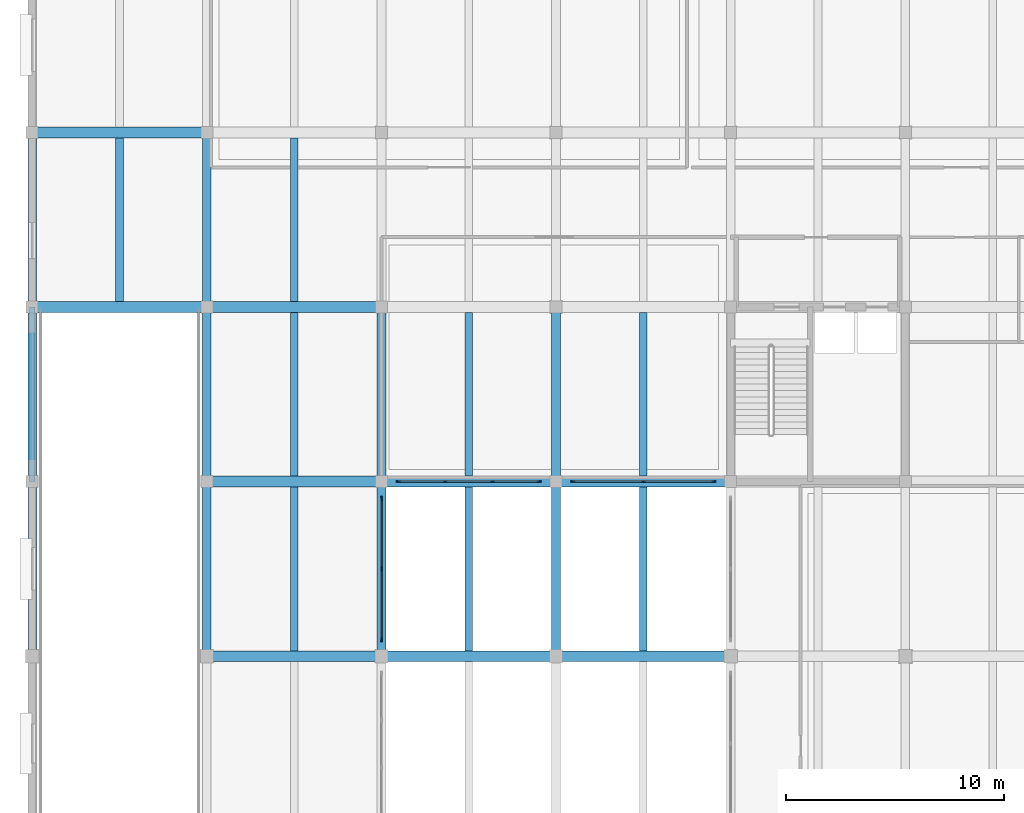
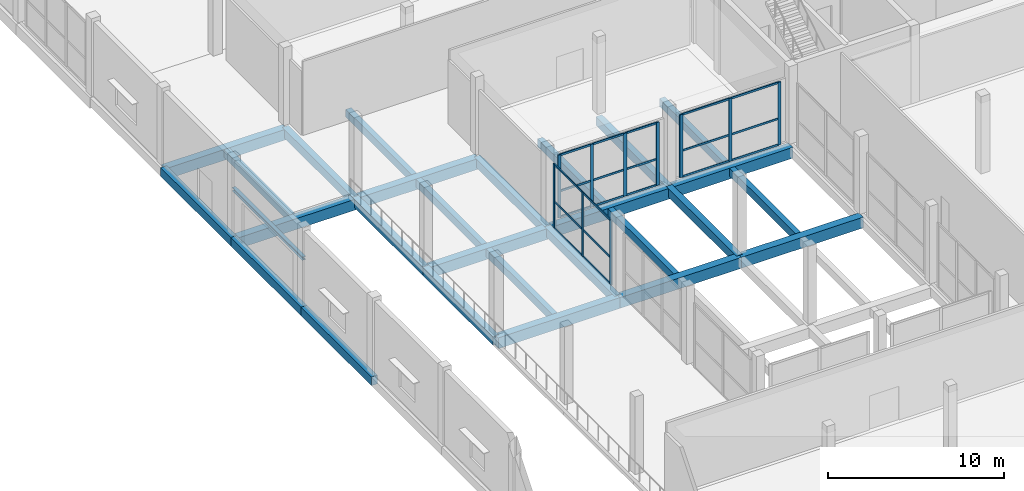
# One storey, part 6 of 41: 31 members, 28 beams, 3 elements without a shape of their own.
"""IFC4 building model written with IfcOpenShell, lengths in metres."""

from ifc_helpers import new_model, si_unit, direction, frame, origin, origin_2d, place, context, subcontext, project, spatial, rectangle, i_section, extrude, material, material_profile, profile_set, type_object, element, aggregate, save


model = new_model("IFC4")

# Units and contexts
model_context = context("Model", 3, precision=1e-05, world=origin(), true_north=direction((0.0, 1.0)))
body_context = subcontext(model_context, "Body", "Model", "MODEL_VIEW")
ifc_project = project(units=[si_unit("LENGTHUNIT", "METRE"), si_unit("AREAUNIT", "SQUARE_METRE"), si_unit("VOLUMEUNIT", "CUBIC_METRE"), si_unit("PLANEANGLEUNIT", "RADIAN"), si_unit("MASSUNIT", "GRAM", prefix="KILO")], contexts=[model_context])

# Site, building, storey
site_placement = place(None, origin())
site = spatial("IfcSite", under=ifc_project, at=site_placement, CompositionType="ELEMENT")
building_placement = place(site_placement, origin())
building = spatial("IfcBuilding", under=site, at=building_placement, Name="Vharandega Faculty of Natural Sciences", CompositionType="ELEMENT")
storey_placement = place(building_placement, origin())
storey = spatial("IfcBuildingStorey", under=building, at=storey_placement, Name="L00", CompositionType="ELEMENT", Elevation=0.0)

# Curtain wall, members
ifc_material_1 = material(Name="Aluminium and solar-control glass curtain wall", Category="aluminium")
curtain_wall_type_1 = type_object("IfcCurtainWallType", Name="Unitised Curtain Wall System CW-01", PredefinedType="NOTDEFINED", material=ifc_material_1)
curtain_wall_1_placement = place(storey_placement, origin())
curtain_wall_1 = element("IfcCurtainWall", 1, at=curtain_wall_1_placement, inside=storey, type_object=curtain_wall_type_1, Name="Curtain Wall CW-L00-112", PredefinedType="NOTDEFINED")
ifc_material_2 = material(Name="Thermally broken aluminium 6063-T6", Category="aluminium")
ifc_material_profile_1 = material_profile(ifc_material_2, rectangle(XDim=0.070068359375, YDim=0.199951171875, at=origin_2d()), Name="ALU 70x200")
ifc_profile_set_1 = profile_set([ifc_material_profile_1], Name="Thermally broken aluminium 6063-T6")
member_type_1 = type_object("IfcMemberType", Name="CW Mullion 70x200", PredefinedType="MULLION", material=ifc_profile_set_1)
member_1_placement = place(storey_placement, frame((16.77490234375, 40.0, 0.0), z_axis=(0.0, 0.0, 1.0), x_axis=(0.0, 1.0, 0.0)))
member_1 = element("IfcMember", 2, at=member_1_placement, type_object=member_type_1, Name="CW-01 mullion 1", PredefinedType="MULLION", context=body_context, shape_type="SweptSolid", body=[
    extrude(rectangle(XDim=0.070068359375, YDim=0.199951171875, at=origin_2d()), origin(), (0.0, 0.0, 1.0), 4.3701171875),
])
member_2_placement = place(storey_placement, frame((18.913330078125, 40.0, 0.0), z_axis=(0.0, 0.0, 1.0), x_axis=(0.0, 1.0, 0.0)))
member_2 = element("IfcMember", 3, at=member_2_placement, type_object=member_type_1, Name="CW-01 mullion 2", PredefinedType="MULLION", context=body_context, shape_type="SweptSolid", body=[
    extrude(rectangle(XDim=0.070068359375, YDim=0.199951171875, at=origin_2d()), origin(), (0.0, 0.0, 1.0), 4.3701171875),
])
member_3_placement = place(storey_placement, frame((21.086669921875, 40.0, 0.0), z_axis=(0.0, 0.0, 1.0), x_axis=(0.0, 1.0, 0.0)))
member_3 = element("IfcMember", 4, at=member_3_placement, type_object=member_type_1, Name="CW-01 mullion 3", PredefinedType="MULLION", context=body_context, shape_type="SweptSolid", body=[
    extrude(rectangle(XDim=0.070068359375, YDim=0.199951171875, at=origin_2d()), origin(), (0.0, 0.0, 1.0), 4.3701171875),
])
member_4_placement = place(storey_placement, frame((23.22509765625, 40.0, 0.0), z_axis=(0.0, 0.0, 1.0), x_axis=(0.0, 1.0, 0.0)))
member_4 = element("IfcMember", 5, at=member_4_placement, type_object=member_type_1, Name="CW-01 mullion 4", PredefinedType="MULLION", context=body_context, shape_type="SweptSolid", body=[
    extrude(rectangle(XDim=0.070068359375, YDim=0.199951171875, at=origin_2d()), origin(), (0.0, 0.0, 1.0), 4.3701171875),
])

ifc_material_3 = material(Name="Aluminium and solar-control glass curtain wall", Category="aluminium")
curtain_wall_type_2 = type_object("IfcCurtainWallType", Name="Unitised Curtain Wall System CW-03", PredefinedType="NOTDEFINED", material=ifc_material_3)
curtain_wall_2_placement = place(storey_placement, origin())
curtain_wall_2 = element("IfcCurtainWall", 6, at=curtain_wall_2_placement, inside=storey, type_object=curtain_wall_type_2, Name="Curtain Wall CW-L00-114", PredefinedType="NOTDEFINED")
member_5_placement = place(storey_placement, frame((24.77490234375, 40.0, 0.0), z_axis=(0.0, 0.0, 1.0), x_axis=(0.0, 1.0, 0.0)))
member_5 = element("IfcMember", 7, at=member_5_placement, type_object=member_type_1, Name="CW-03 mullion 1", PredefinedType="MULLION", context=body_context, shape_type="SweptSolid", body=[
    extrude(rectangle(XDim=0.070068359375, YDim=0.199951171875, at=origin_2d()), origin(), (0.0, 0.0, 1.0), 4.3701171875),
])
member_6_placement = place(storey_placement, frame((28.0, 40.0, 0.0), z_axis=(0.0, 0.0, 1.0), x_axis=(0.0, 1.0, 0.0)))
member_6 = element("IfcMember", 8, at=member_6_placement, type_object=member_type_1, Name="CW-03 mullion 2", PredefinedType="MULLION", context=body_context, shape_type="SweptSolid", body=[
    extrude(rectangle(XDim=0.070068359375, YDim=0.199951171875, at=origin_2d()), origin(), (0.0, 0.0, 1.0), 4.3701171875),
])
member_7_placement = place(storey_placement, frame((31.22509765625, 40.0, 0.0), z_axis=(0.0, 0.0, 1.0), x_axis=(0.0, 1.0, 0.0)))
member_7 = element("IfcMember", 9, at=member_7_placement, type_object=member_type_1, Name="CW-03 mullion 3", PredefinedType="MULLION", context=body_context, shape_type="SweptSolid", body=[
    extrude(rectangle(XDim=0.070068359375, YDim=0.199951171875, at=origin_2d()), origin(), (0.0, 0.0, 1.0), 4.3701171875),
])

ifc_material_4 = material(Name="Aluminium and solar-control glass curtain wall", Category="aluminium")
curtain_wall_type_3 = type_object("IfcCurtainWallType", Name="Unitised Curtain Wall System CW-08", PredefinedType="NOTDEFINED", material=ifc_material_4)
curtain_wall_3_placement = place(storey_placement, origin())
curtain_wall_3 = element("IfcCurtainWall", 10, at=curtain_wall_3_placement, inside=storey, type_object=curtain_wall_type_3, Name="Curtain Wall CW-L00-119", PredefinedType="NOTDEFINED")
member_8_placement = place(storey_placement, frame((16.0, 32.77490234375, 0.0), z_axis=(0.0, 0.0, 1.0), x_axis=(-1.0, 0.0, 0.0)))
member_8 = element("IfcMember", 11, at=member_8_placement, type_object=member_type_1, Name="CW-08 mullion 1", PredefinedType="MULLION", context=body_context, shape_type="SweptSolid", body=[
    extrude(rectangle(XDim=0.070068359375, YDim=0.199951171875, at=origin_2d()), origin(), (0.0, 0.0, 1.0), 4.469970703125),
])
member_9_placement = place(storey_placement, frame((16.0, 36.0, 0.0), z_axis=(0.0, 0.0, 1.0), x_axis=(-1.0, 0.0, 0.0)))
member_9 = element("IfcMember", 12, at=member_9_placement, type_object=member_type_1, Name="CW-08 mullion 2", PredefinedType="MULLION", context=body_context, shape_type="SweptSolid", body=[
    extrude(rectangle(XDim=0.070068359375, YDim=0.199951171875, at=origin_2d()), origin(), (0.0, 0.0, 1.0), 4.469970703125),
])
member_10_placement = place(storey_placement, frame((16.0, 39.22509765625, 0.0), z_axis=(0.0, 0.0, 1.0), x_axis=(-1.0, 0.0, 0.0)))
member_10 = element("IfcMember", 13, at=member_10_placement, type_object=member_type_1, Name="CW-08 mullion 3", PredefinedType="MULLION", context=body_context, shape_type="SweptSolid", body=[
    extrude(rectangle(XDim=0.070068359375, YDim=0.199951171875, at=origin_2d()), origin(), (0.0, 0.0, 1.0), 4.469970703125),
])

# Member
ifc_material_5 = material(Name="Thermally broken aluminium 6063-T6", Category="aluminium")
ifc_material_profile_2 = material_profile(ifc_material_5, rectangle(XDim=0.06494140625, YDim=0.135009765625, at=origin_2d()), Name="ALU 65x135")
ifc_profile_set_2 = profile_set([ifc_material_profile_2], Name="Thermally broken aluminium 6063-T6")
member_type_2 = type_object("IfcMemberType", Name="CW Transom 65x135", PredefinedType="USERDEFINED", material=ifc_profile_set_2)
member_11_placement = place(storey_placement, frame((16.81005859375, 40.0, 0.032470703125), z_axis=(1.0, 0.0, 0.0), x_axis=(0.0, 1.0, 0.0)))
member_11 = element("IfcMember", 14, at=member_11_placement, type_object=member_type_2, Name="CW-01 transom 1.1", ObjectType="TRANSOM", PredefinedType="USERDEFINED", context=body_context, shape_type="SweptSolid", body=[
    extrude(rectangle(XDim=0.06494140625, YDim=0.135009765625, at=origin_2d()), origin(), (0.0, 0.0, 1.0), 2.068359375),
])

member_12_placement = place(storey_placement, frame((16.81005859375, 40.0, 1.83544921875), z_axis=(1.0, 0.0, 0.0), x_axis=(0.0, 1.0, 0.0)))
member_12 = element("IfcMember", 15, at=member_12_placement, type_object=member_type_2, Name="CW-01 transom 1.2", ObjectType="TRANSOM", PredefinedType="USERDEFINED", context=body_context, shape_type="SweptSolid", body=[
    extrude(rectangle(XDim=0.06494140625, YDim=0.135009765625, at=origin_2d()), origin(), (0.0, 0.0, 1.0), 2.068359375),
])

member_13_placement = place(storey_placement, frame((16.81005859375, 40.0, 4.33740234375), z_axis=(1.0, 0.0, 0.0), x_axis=(0.0, 1.0, 0.0)))
member_13 = element("IfcMember", 16, at=member_13_placement, type_object=member_type_2, Name="CW-01 transom 1.3", ObjectType="TRANSOM", PredefinedType="USERDEFINED", context=body_context, shape_type="SweptSolid", body=[
    extrude(rectangle(XDim=0.06494140625, YDim=0.135009765625, at=origin_2d()), origin(), (0.0, 0.0, 1.0), 2.068359375),
])

member_14_placement = place(storey_placement, frame((18.9482421875, 40.0, 0.032470703125), z_axis=(1.0, 0.0, 0.0), x_axis=(0.0, 1.0, 0.0)))
member_14 = element("IfcMember", 17, at=member_14_placement, type_object=member_type_2, Name="CW-01 transom 2.1", ObjectType="TRANSOM", PredefinedType="USERDEFINED", context=body_context, shape_type="SweptSolid", body=[
    extrude(rectangle(XDim=0.06494140625, YDim=0.135009765625, at=origin_2d()), origin(), (0.0, 0.0, 1.0), 2.103515625),
])

member_15_placement = place(storey_placement, frame((18.9482421875, 40.0, 1.83544921875), z_axis=(1.0, 0.0, 0.0), x_axis=(0.0, 1.0, 0.0)))
member_15 = element("IfcMember", 18, at=member_15_placement, type_object=member_type_2, Name="CW-01 transom 2.2", ObjectType="TRANSOM", PredefinedType="USERDEFINED", context=body_context, shape_type="SweptSolid", body=[
    extrude(rectangle(XDim=0.06494140625, YDim=0.135009765625, at=origin_2d()), origin(), (0.0, 0.0, 1.0), 2.103515625),
])

member_16_placement = place(storey_placement, frame((18.9482421875, 40.0, 4.33740234375), z_axis=(1.0, 0.0, 0.0), x_axis=(0.0, 1.0, 0.0)))
member_16 = element("IfcMember", 19, at=member_16_placement, type_object=member_type_2, Name="CW-01 transom 2.3", ObjectType="TRANSOM", PredefinedType="USERDEFINED", context=body_context, shape_type="SweptSolid", body=[
    extrude(rectangle(XDim=0.06494140625, YDim=0.135009765625, at=origin_2d()), origin(), (0.0, 0.0, 1.0), 2.103515625),
])

member_17_placement = place(storey_placement, frame((21.12158203125, 40.0, 0.032470703125), z_axis=(1.0, 0.0, 0.0), x_axis=(0.0, 1.0, 0.0)))
member_17 = element("IfcMember", 20, at=member_17_placement, type_object=member_type_2, Name="CW-01 transom 3.1", ObjectType="TRANSOM", PredefinedType="USERDEFINED", context=body_context, shape_type="SweptSolid", body=[
    extrude(rectangle(XDim=0.06494140625, YDim=0.135009765625, at=origin_2d()), origin(), (0.0, 0.0, 1.0), 2.068359375),
])

member_18_placement = place(storey_placement, frame((21.12158203125, 40.0, 1.83544921875), z_axis=(1.0, 0.0, 0.0), x_axis=(0.0, 1.0, 0.0)))
member_18 = element("IfcMember", 21, at=member_18_placement, type_object=member_type_2, Name="CW-01 transom 3.2", ObjectType="TRANSOM", PredefinedType="USERDEFINED", context=body_context, shape_type="SweptSolid", body=[
    extrude(rectangle(XDim=0.06494140625, YDim=0.135009765625, at=origin_2d()), origin(), (0.0, 0.0, 1.0), 2.068359375),
])

member_19_placement = place(storey_placement, frame((21.12158203125, 40.0, 4.33740234375), z_axis=(1.0, 0.0, 0.0), x_axis=(0.0, 1.0, 0.0)))
member_19 = element("IfcMember", 22, at=member_19_placement, type_object=member_type_2, Name="CW-01 transom 3.3", ObjectType="TRANSOM", PredefinedType="USERDEFINED", context=body_context, shape_type="SweptSolid", body=[
    extrude(rectangle(XDim=0.06494140625, YDim=0.135009765625, at=origin_2d()), origin(), (0.0, 0.0, 1.0), 2.068359375),
])

aggregate(curtain_wall_1, [member_1, member_2, member_3, member_4, member_11, member_12, member_13, member_14, member_15, member_16, member_17, member_18, member_19])

member_20_placement = place(storey_placement, frame((24.81005859375, 40.0, 0.032470703125), z_axis=(1.0, 0.0, 0.0), x_axis=(0.0, 1.0, 0.0)))
member_20 = element("IfcMember", 23, at=member_20_placement, type_object=member_type_2, Name="CW-03 transom 1.1", ObjectType="TRANSOM", PredefinedType="USERDEFINED", context=body_context, shape_type="SweptSolid", body=[
    extrude(rectangle(XDim=0.06494140625, YDim=0.135009765625, at=origin_2d()), origin(), (0.0, 0.0, 1.0), 3.155029296875),
])

member_21_placement = place(storey_placement, frame((24.81005859375, 40.0, 1.83544921875), z_axis=(1.0, 0.0, 0.0), x_axis=(0.0, 1.0, 0.0)))
member_21 = element("IfcMember", 24, at=member_21_placement, type_object=member_type_2, Name="CW-03 transom 1.2", ObjectType="TRANSOM", PredefinedType="USERDEFINED", context=body_context, shape_type="SweptSolid", body=[
    extrude(rectangle(XDim=0.06494140625, YDim=0.135009765625, at=origin_2d()), origin(), (0.0, 0.0, 1.0), 3.155029296875),
])

member_22_placement = place(storey_placement, frame((24.81005859375, 40.0, 4.33740234375), z_axis=(1.0, 0.0, 0.0), x_axis=(0.0, 1.0, 0.0)))
member_22 = element("IfcMember", 25, at=member_22_placement, type_object=member_type_2, Name="CW-03 transom 1.3", ObjectType="TRANSOM", PredefinedType="USERDEFINED", context=body_context, shape_type="SweptSolid", body=[
    extrude(rectangle(XDim=0.06494140625, YDim=0.135009765625, at=origin_2d()), origin(), (0.0, 0.0, 1.0), 3.155029296875),
])

member_23_placement = place(storey_placement, frame((28.034912109375, 40.0, 0.032470703125), z_axis=(1.0, 0.0, 0.0), x_axis=(0.0, 1.0, 0.0)))
member_23 = element("IfcMember", 26, at=member_23_placement, type_object=member_type_2, Name="CW-03 transom 2.1", ObjectType="TRANSOM", PredefinedType="USERDEFINED", context=body_context, shape_type="SweptSolid", body=[
    extrude(rectangle(XDim=0.06494140625, YDim=0.135009765625, at=origin_2d()), origin(), (0.0, 0.0, 1.0), 3.155029296875),
])

member_24_placement = place(storey_placement, frame((28.034912109375, 40.0, 1.83544921875), z_axis=(1.0, 0.0, 0.0), x_axis=(0.0, 1.0, 0.0)))
member_24 = element("IfcMember", 27, at=member_24_placement, type_object=member_type_2, Name="CW-03 transom 2.2", ObjectType="TRANSOM", PredefinedType="USERDEFINED", context=body_context, shape_type="SweptSolid", body=[
    extrude(rectangle(XDim=0.06494140625, YDim=0.135009765625, at=origin_2d()), origin(), (0.0, 0.0, 1.0), 3.155029296875),
])

member_25_placement = place(storey_placement, frame((28.034912109375, 40.0, 4.33740234375), z_axis=(1.0, 0.0, 0.0), x_axis=(0.0, 1.0, 0.0)))
member_25 = element("IfcMember", 28, at=member_25_placement, type_object=member_type_2, Name="CW-03 transom 2.3", ObjectType="TRANSOM", PredefinedType="USERDEFINED", context=body_context, shape_type="SweptSolid", body=[
    extrude(rectangle(XDim=0.06494140625, YDim=0.135009765625, at=origin_2d()), origin(), (0.0, 0.0, 1.0), 3.155029296875),
])

aggregate(curtain_wall_2, [member_5, member_6, member_7, member_20, member_21, member_22, member_23, member_24, member_25])

member_26_placement = place(storey_placement, frame((16.0, 32.81005859375, 0.032470703125), z_axis=(0.0, 1.0, 0.0), x_axis=(-1.0, 0.0, 0.0)))
member_26 = element("IfcMember", 29, at=member_26_placement, type_object=member_type_2, Name="CW-08 transom 1.1", ObjectType="TRANSOM", PredefinedType="USERDEFINED", context=body_context, shape_type="SweptSolid", body=[
    extrude(rectangle(XDim=0.06494140625, YDim=0.135009765625, at=origin_2d()), origin(), (0.0, 0.0, 1.0), 3.155029296875),
])

member_27_placement = place(storey_placement, frame((16.0, 32.81005859375, 1.87744140625), z_axis=(0.0, 1.0, 0.0), x_axis=(-1.0, 0.0, 0.0)))
member_27 = element("IfcMember", 30, at=member_27_placement, type_object=member_type_2, Name="CW-08 transom 1.2", ObjectType="TRANSOM", PredefinedType="USERDEFINED", context=body_context, shape_type="SweptSolid", body=[
    extrude(rectangle(XDim=0.06494140625, YDim=0.135009765625, at=origin_2d()), origin(), (0.0, 0.0, 1.0), 3.155029296875),
])

member_28_placement = place(storey_placement, frame((16.0, 32.81005859375, 4.4375), z_axis=(0.0, 1.0, 0.0), x_axis=(-1.0, 0.0, 0.0)))
member_28 = element("IfcMember", 31, at=member_28_placement, type_object=member_type_2, Name="CW-08 transom 1.3", ObjectType="TRANSOM", PredefinedType="USERDEFINED", context=body_context, shape_type="SweptSolid", body=[
    extrude(rectangle(XDim=0.06494140625, YDim=0.135009765625, at=origin_2d()), origin(), (0.0, 0.0, 1.0), 3.155029296875),
])

member_29_placement = place(storey_placement, frame((16.0, 36.034912109375, 0.032470703125), z_axis=(0.0, 1.0, 0.0), x_axis=(-1.0, 0.0, 0.0)))
member_29 = element("IfcMember", 32, at=member_29_placement, type_object=member_type_2, Name="CW-08 transom 2.1", ObjectType="TRANSOM", PredefinedType="USERDEFINED", context=body_context, shape_type="SweptSolid", body=[
    extrude(rectangle(XDim=0.06494140625, YDim=0.135009765625, at=origin_2d()), origin(), (0.0, 0.0, 1.0), 3.155029296875),
])

member_30_placement = place(storey_placement, frame((16.0, 36.034912109375, 1.87744140625), z_axis=(0.0, 1.0, 0.0), x_axis=(-1.0, 0.0, 0.0)))
member_30 = element("IfcMember", 33, at=member_30_placement, type_object=member_type_2, Name="CW-08 transom 2.2", ObjectType="TRANSOM", PredefinedType="USERDEFINED", context=body_context, shape_type="SweptSolid", body=[
    extrude(rectangle(XDim=0.06494140625, YDim=0.135009765625, at=origin_2d()), origin(), (0.0, 0.0, 1.0), 3.155029296875),
])

member_31_placement = place(storey_placement, frame((16.0, 36.034912109375, 4.4375), z_axis=(0.0, 1.0, 0.0), x_axis=(-1.0, 0.0, 0.0)))
member_31 = element("IfcMember", 34, at=member_31_placement, type_object=member_type_2, Name="CW-08 transom 2.3", ObjectType="TRANSOM", PredefinedType="USERDEFINED", context=body_context, shape_type="SweptSolid", body=[
    extrude(rectangle(XDim=0.06494140625, YDim=0.135009765625, at=origin_2d()), origin(), (0.0, 0.0, 1.0), 3.155029296875),
])

aggregate(curtain_wall_3, [member_8, member_9, member_10, member_26, member_27, member_28, member_29, member_30, member_31])

# Beams
ifc_material_6 = material(Name="Concrete C40/50", Category="concrete")
ifc_material_profile_3 = material_profile(ifc_material_6, rectangle(XDim=0.5, YDim=0.75, at=origin_2d()), Name="RC 500x750")
ifc_profile_set_3 = profile_set([ifc_material_profile_3], Name="Concrete C40/50")
beam_type_1 = type_object("IfcBeamType", Name="Podium Primary Beam 500x750", PredefinedType="BEAM", material=ifc_profile_set_3)
for number, where, z_axis, x_axis, name in (
    (35, (8.0, 32.0, -0.675048828125), (1.0, 0.0, 0.0), (0.0, 1.0, 0.0), "Beam L00 E/2-3"),
    (36, (16.0, 32.0, -0.675048828125), (1.0, 0.0, 0.0), (0.0, 1.0, 0.0), "Beam L00 E/3-4"),
    (37, (24.0, 32.0, -0.675048828125), (1.0, 0.0, 0.0), (0.0, 1.0, 0.0), "Beam L00 E/4-5"),
    (38, (8.0, 40.0, -0.675048828125), (1.0, 0.0, 0.0), (0.0, 1.0, 0.0), "Beam L00 F/2-3"),
    (39, (16.0, 40.0, -0.675048828125), (1.0, 0.0, 0.0), (0.0, 1.0, 0.0), "Beam L00 F/3-4"),
    (40, (24.0, 40.0, -0.675048828125), (1.0, 0.0, 0.0), (0.0, 1.0, 0.0), "Beam L00 F/4-5"),
    (41, (0.0, 48.0, -0.675048828125), (1.0, 0.0, 0.0), (0.0, 1.0, 0.0), "Beam L00 G/1-2"),
    (42, (8.0, 48.0, -0.675048828125), (1.0, 0.0, 0.0), (0.0, 1.0, 0.0), "Beam L00 G/2-3"),
    (43, (0.0, 56.0, -0.675048828125), (1.0, 0.0, 0.0), (0.0, 1.0, 0.0), "Beam L00 H/1-2"),
):
    element("IfcBeam", number, at=place(storey_placement, frame(where, z_axis=z_axis, x_axis=x_axis)), inside=storey, type_object=beam_type_1, Name=name, PredefinedType="BEAM", context=body_context, shape_type="SweptSolid", body=[
        extrude(rectangle(XDim=0.5, YDim=0.75, at=origin_2d()), origin(), (0.0, 0.0, 1.0), 8.0),
    ])
ifc_material_7 = material(Name="Concrete C40/50", Category="concrete")
ifc_material_profile_4 = material_profile(ifc_material_7, rectangle(XDim=0.39990234375, YDim=0.60009765625, at=origin_2d()), Name="RC 400x600")
ifc_profile_set_4 = profile_set([ifc_material_profile_4], Name="Concrete C40/50")
beam_type_2 = type_object("IfcBeamType", Name="Podium Rib Beam 400x600", PredefinedType="BEAM", material=ifc_profile_set_4)
for number, where, z_axis, x_axis, name in (
    (44, (0.0, 32.0, -0.60009765625), (0.0, 1.0, 0.0), (-1.0, 0.0, 0.0), "Beam L00 1/E-F"),
    (45, (0.0, 40.0, -0.60009765625), (0.0, 1.0, 0.0), (-1.0, 0.0, 0.0), "Beam L00 1/F-G"),
    (46, (0.0, 48.0, -0.60009765625), (0.0, 1.0, 0.0), (-1.0, 0.0, 0.0), "Beam L00 1/G-H"),
    (47, (8.0, 32.0, -0.60009765625), (0.0, 1.0, 0.0), (-1.0, 0.0, 0.0), "Beam L00 2/E-F"),
    (48, (8.0, 40.0, -0.60009765625), (0.0, 1.0, 0.0), (-1.0, 0.0, 0.0), "Beam L00 2/F-G"),
    (49, (8.0, 48.0, -0.60009765625), (0.0, 1.0, 0.0), (-1.0, 0.0, 0.0), "Beam L00 2/G-H"),
    (50, (16.0, 32.0, -0.60009765625), (0.0, 1.0, 0.0), (-1.0, 0.0, 0.0), "Beam L00 3/E-F"),
    (51, (16.0, 40.0, -0.60009765625), (0.0, 1.0, 0.0), (-1.0, 0.0, 0.0), "Beam L00 3/F-G"),
    (52, (24.0, 32.0, -0.60009765625), (0.0, 1.0, 0.0), (-1.0, 0.0, 0.0), "Beam L00 4/E-F"),
    (53, (24.0, 40.0, -0.60009765625), (0.0, 1.0, 0.0), (-1.0, 0.0, 0.0), "Beam L00 4/F-G"),
):
    element("IfcBeam", number, at=place(storey_placement, frame(where, z_axis=z_axis, x_axis=x_axis)), inside=storey, type_object=beam_type_2, Name=name, PredefinedType="BEAM", context=body_context, shape_type="SweptSolid", body=[
        extrude(rectangle(XDim=0.39990234375, YDim=0.60009765625, at=origin_2d()), origin(), (0.0, 0.0, 1.0), 8.0),
    ])
ifc_material_8 = material(Name="Concrete C40/50", Category="concrete")
ifc_material_profile_5 = material_profile(ifc_material_8, rectangle(XDim=0.35009765625, YDim=0.550048828125, at=origin_2d()), Name="RC 350x550")
ifc_profile_set_5 = profile_set([ifc_material_profile_5], Name="Concrete C40/50")
beam_type_3 = type_object("IfcBeamType", Name="Podium Secondary Beam 350x550", PredefinedType="JOIST", material=ifc_profile_set_5)
for number, where, z_axis, x_axis, name in (
    (54, (4.0, 48.25, -0.574951171875), (0.0, 1.0, 0.0), (-1.0, 0.0, 0.0), "Secondary Joist L00 1-2/G-H"),
    (55, (12.0, 32.25, -0.574951171875), (0.0, 1.0, 0.0), (-1.0, 0.0, 0.0), "Secondary Joist L00 2-3/E-F"),
    (56, (12.0, 40.25, -0.574951171875), (0.0, 1.0, 0.0), (-1.0, 0.0, 0.0), "Secondary Joist L00 2-3/F-G"),
    (57, (12.0, 48.25, -0.574951171875), (0.0, 1.0, 0.0), (-1.0, 0.0, 0.0), "Secondary Joist L00 2-3/G-H"),
    (58, (20.0, 32.25, -0.574951171875), (0.0, 1.0, 0.0), (-1.0, 0.0, 0.0), "Secondary Joist L00 3-4/E-F"),
    (59, (20.0, 40.25, -0.574951171875), (0.0, 1.0, 0.0), (-1.0, 0.0, 0.0), "Secondary Joist L00 3-4/F-G"),
    (60, (28.0, 32.25, -0.574951171875), (0.0, 1.0, 0.0), (-1.0, 0.0, 0.0), "Secondary Joist L00 4-5/E-F"),
    (61, (28.0, 40.25, -0.574951171875), (0.0, 1.0, 0.0), (-1.0, 0.0, 0.0), "Secondary Joist L00 4-5/F-G"),
):
    element("IfcBeam", number, at=place(storey_placement, frame(where, z_axis=z_axis, x_axis=x_axis)), inside=storey, type_object=beam_type_3, Name=name, PredefinedType="JOIST", context=body_context, shape_type="SweptSolid", body=[
        extrude(rectangle(XDim=0.35009765625, YDim=0.550048828125, at=origin_2d()), origin(), (0.0, 0.0, 1.0), 7.5),
    ])
ifc_material_9 = material(Name="Steel S355", Category="steel")
ifc_material_profile_6 = material_profile(ifc_material_9, i_section(OverallWidth=0.239990234375, OverallDepth=0.22998046875, WebThickness=0.007568359375, FlangeThickness=0.011962890625, FilletRadius=0.02099609375, at=origin_2d()), Name="HEA 240")
ifc_profile_set_6 = profile_set([ifc_material_profile_6], Name="Steel S355")
beam_type_4 = type_object("IfcBeamType", Name="Steel Heavy Lintel HEA 240", PredefinedType="LINTEL", material=ifc_profile_set_6)
beam_placement = place(storey_placement, frame((0.0, 40.0, 3.034912109375), z_axis=(0.0, 1.0, 0.0), x_axis=(-1.0, 0.0, 0.0)))
element("IfcBeam", 62, at=beam_placement, inside=storey, type_object=beam_type_4, Name="Opening Lintel L00-01", PredefinedType="LINTEL", context=body_context, shape_type="SweptSolid", body=[
    extrude(i_section(OverallWidth=0.239990234375, OverallDepth=0.22998046875, WebThickness=0.007568359375, FlangeThickness=0.011962890625, FilletRadius=0.02099609375, at=origin_2d()), origin(), (0.0, 0.0, 1.0), 8.0),
])

save(model, "model.ifc")
